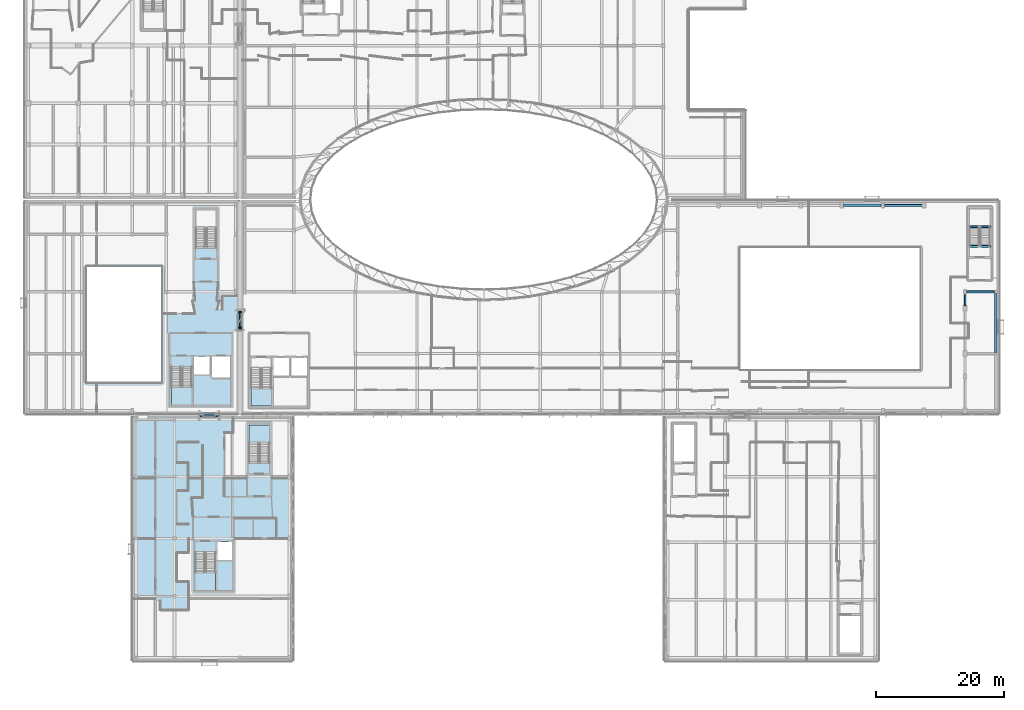
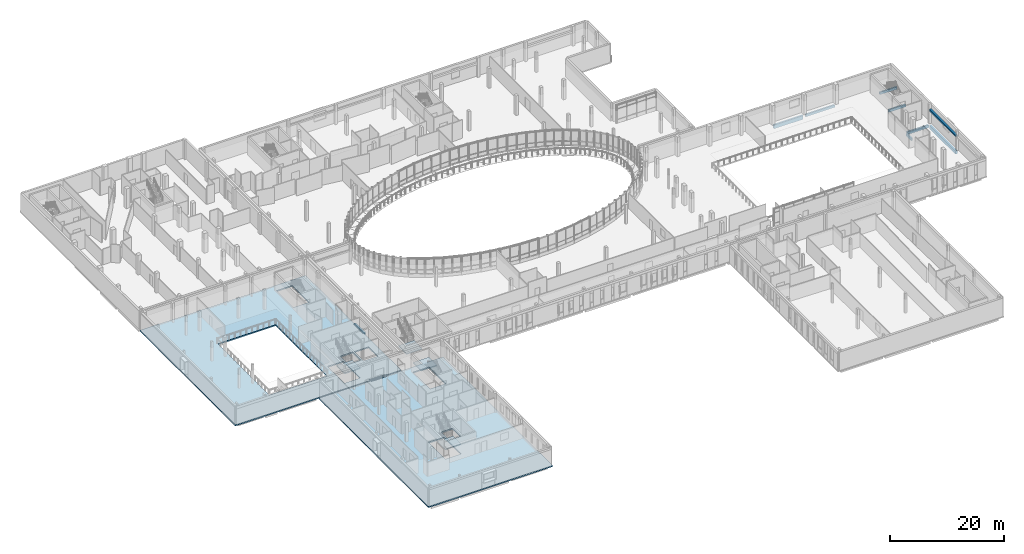
# One storey, part 30 of 84: 8 beams, 8 slabs, 4 plates, 4 elements without a shape of their own.
"""IFC4 building model written with IfcOpenShell, lengths in metres."""

from ifc_helpers import new_model, si_unit, direction, frame, origin, origin_2d, place, context, subcontext, project, spatial, polyline, rectangle, outline, extrude, material, layer, layer_set, material_profile, profile_set, type_object, element, aggregate, save


model = new_model("IFC4")

# Units and contexts
model_context = context("Model", 3, precision=1e-05, world=origin(), true_north=direction((0.0, 1.0)))
body_context = subcontext(model_context, "Body", "Model", "MODEL_VIEW")
ifc_project = project(units=[si_unit("LENGTHUNIT", "METRE"), si_unit("AREAUNIT", "SQUARE_METRE"), si_unit("VOLUMEUNIT", "CUBIC_METRE"), si_unit("PLANEANGLEUNIT", "RADIAN"), si_unit("MASSUNIT", "GRAM", prefix="KILO")], contexts=[model_context])

# Site, building, storey
site_placement = place(None, origin())
site = spatial("IfcSite", under=ifc_project, at=site_placement, CompositionType="ELEMENT")
building_placement = place(site_placement, origin())
building = spatial("IfcBuilding", under=site, at=building_placement, Name="Mzevani Central Library", CompositionType="ELEMENT")
storey_placement = place(building_placement, frame((0.0, 0.0, 5.39990234375)))
storey = spatial("IfcBuildingStorey", under=building, at=storey_placement, Name="L01", CompositionType="ELEMENT", Elevation=5.39990234375)

# Beams
ifc_material_1 = material(Name="Concrete C35/45", Category="concrete")
ifc_material_profile_1 = material_profile(ifc_material_1, rectangle(XDim=0.300048828125, YDim=0.5, at=origin_2d()), Name="RC B300x500")
ifc_profile_set_1 = profile_set([ifc_material_profile_1], Name="Concrete C35/45")
beam_type_1 = type_object("IfcBeamType", Name="Beam RC 300x500", PredefinedType="BEAM", material=ifc_profile_set_1)
beam_1_placement = place(storey_placement, frame((146.47509765625, 75.10009765625, -0.510009765625), z_axis=(1.0, 0.0, 0.0), x_axis=(0.0, 1.0, 0.0)))
element("IfcBeam", 1, at=beam_1_placement, inside=storey, type_object=beam_type_1, Name="L01 V1 Girder B-01 (40)", PredefinedType="BEAM", context=body_context, shape_type="SweptSolid", body=[
    extrude(rectangle(XDim=0.300048828125, YDim=0.5, at=origin_2d()), origin(), (0.0, 0.0, 1.0), 5.875),
])
for number, where, z_axis, x_axis, name in (
    (2, (159.580078125, 71.780029296875, 1.650146484375), (1.0, 0.0, 0.0), (0.0, 1.0, 0.0), "L01 Core C1B Reading Hall East Stair Landing Beam 1"),
    (3, (159.580078125, 68.699951171875, -0.25), (1.0, 0.0, 0.0), (0.0, 1.0, 0.0), "L01 Core C1B Reading Hall East Stair Opening Trimmer Beam"),
):
    element("IfcBeam", number, at=place(storey_placement, frame(where, z_axis=z_axis, x_axis=x_axis)), inside=storey, type_object=beam_type_1, Name=name, PredefinedType="BEAM", context=body_context, shape_type="SweptSolid", body=[
        extrude(rectangle(XDim=0.300048828125, YDim=0.5, at=origin_2d()), origin(), (0.0, 0.0, 1.0), 3.43994140625),
    ])
ifc_material_profile_2 = material_profile(ifc_material_1, rectangle(XDim=0.300048828125, YDim=0.550048828125, at=origin_2d()), Name="RC B300x550")
ifc_profile_set_2 = profile_set([ifc_material_profile_2], Name="Concrete C35/45")
beam_type_2 = type_object("IfcBeamType", Name="Beam RC 300x550", PredefinedType="BEAM", material=ifc_profile_set_2)
beam_2_placement = place(storey_placement, frame((159.0, 59.449951171875, -0.534912109375), z_axis=(0.0, 1.0, 0.0), x_axis=(-1.0, 0.0, 0.0)))
element("IfcBeam", 4, at=beam_2_placement, inside=storey, type_object=beam_type_2, Name="L01 V1 Frame Beam B-02 (69)", PredefinedType="BEAM", context=body_context, shape_type="SweptSolid", body=[
    extrude(rectangle(XDim=0.300048828125, YDim=0.550048828125, at=origin_2d()), origin(), (0.0, 0.0, 1.0), 1.75),
])
ifc_material_profile_3 = material_profile(ifc_material_1, rectangle(XDim=0.300048828125, YDim=0.60009765625, at=origin_2d()), Name="RC B300x600")
ifc_profile_set_3 = profile_set([ifc_material_profile_3], Name="Concrete C35/45")
beam_type_3 = type_object("IfcBeamType", Name="Beam RC 300x600", PredefinedType="BEAM", material=ifc_profile_set_3)
beam_3_placement = place(storey_placement, frame((159.25, 61.60009765625, -0.559814453125), z_axis=(1.0, 0.0, 0.0), x_axis=(0.0, 1.0, 0.0)))
element("IfcBeam", 5, at=beam_3_placement, inside=storey, type_object=beam_type_3, Name="L01 V1 Girder B-03 (30)", PredefinedType="BEAM", context=body_context, shape_type="SweptSolid", body=[
    extrude(rectangle(XDim=0.300048828125, YDim=0.60009765625, at=origin_2d()), origin(), (0.0, 0.0, 1.0), 4.300048828125),
])
ifc_material_profile_4 = material_profile(ifc_material_1, rectangle(XDim=0.39990234375, YDim=0.699951171875, at=origin_2d()), Name="RC B400x700")
ifc_profile_set_4 = profile_set([ifc_material_profile_4], Name="Concrete C35/45")
beam_type_4 = type_object("IfcBeamType", Name="Beam RC 400x700", PredefinedType="BEAM", material=ifc_profile_set_4)
beam_4_placement = place(storey_placement, frame((163.800048828125, 52.22509765625, -0.60986328125), z_axis=(0.0, 1.0, 0.0), x_axis=(-1.0, 0.0, 0.0)))
element("IfcBeam", 6, at=beam_4_placement, inside=storey, type_object=beam_type_4, Name="L01 V1 Frame Beam B-08 (71)", PredefinedType="BEAM", context=body_context, shape_type="SweptSolid", body=[
    extrude(rectangle(XDim=0.39990234375, YDim=0.699951171875, at=origin_2d()), origin(), (0.0, 0.0, 1.0), 9.125),
])
ifc_material_2 = material(Name="Precast concrete C40/50", Category="concrete")
ifc_material_profile_5 = material_profile(ifc_material_2, rectangle(XDim=0.35009765625, YDim=0.800048828125, at=origin_2d()), Name="RC SP350x800")
ifc_profile_set_5 = profile_set([ifc_material_profile_5], Name="Precast concrete C40/50")
beam_type_5 = type_object("IfcBeamType", Name="Colonnade Fascia Beam RC 350x800", PredefinedType="SPANDREL", material=ifc_profile_set_5)
beam_5_placement = place(storey_placement, frame((140.050048828125, 75.10009765625, -0.659912109375), z_axis=(1.0, 0.0, 0.0), x_axis=(0.0, 1.0, 0.0)))
element("IfcBeam", 7, at=beam_5_placement, inside=storey, type_object=beam_type_5, Name="L01 V1 Girder SP-02 (39)", PredefinedType="SPANDREL", context=body_context, shape_type="SweptSolid", body=[
    extrude(rectangle(XDim=0.35009765625, YDim=0.800048828125, at=origin_2d()), origin(), (0.0, 0.0, 1.0), 5.875),
])
ifc_material_profile_6 = material_profile(ifc_material_2, rectangle(XDim=0.35009765625, YDim=0.39990234375, at=origin_2d()), Name="PC LN350x400")
ifc_profile_set_6 = profile_set([ifc_material_profile_6], Name="Precast concrete C40/50")
beam_type_6 = type_object("IfcBeamType", Name="Precast Window Lintel 350x400", PredefinedType="LINTEL", material=ifc_profile_set_6)
beam_6_placement = place(storey_placement, frame((163.800048828125, 52.199951171875, 2.9501953125), z_axis=(0.0, 1.0, 0.0), x_axis=(-1.0, 0.0, 0.0)))
element("IfcBeam", 8, at=beam_6_placement, inside=storey, type_object=beam_type_6, Name="L01 V1 Precast Portal Lintel (17)", PredefinedType="LINTEL", context=body_context, shape_type="SweptSolid", body=[
    extrude(rectangle(XDim=0.35009765625, YDim=0.39990234375, at=origin_2d()), origin(), (0.0, 0.0, 1.0), 9.175048828125),
])

# Slabs
ifc_layer_1 = layer(ifc_material_1, 0.260009765625, Name="Public Reading Floor Slab 260")
ifc_layer_set_1 = layer_set([ifc_layer_1], Name="Concrete C35/45")
slab_type_1 = type_object("IfcSlabType", Name="Public Reading Floor Slab 260", PredefinedType="FLOOR", material=ifc_layer_set_1)
slab_1_placement = place(storey_placement, frame((0.0, 0.0, -0.260009765625)))
element("IfcSlab", 9, at=slab_1_placement, inside=storey, type_object=slab_type_1, Name="L01 V4 Structural Slab FS-02", PredefinedType="FLOOR", context=body_context, shape_type="SweptSolid", body=[
    extrude(outline(polyline([(54.300048828125, 4.0), (29.199951171875, 4.0), (29.199951171875, 42.300048828125), (54.300048828125, 42.300048828125), (54.300048828125, 4.0)]), holes=[polyline([(39.0, 21.0), (39.0, 15.10009765625), (42.199951171875, 15.10009765625), (42.199951171875, 21.0), (39.0, 21.0)]), polyline([(42.5, 19.800048828125), (44.800048828125, 19.800048828125), (44.800048828125, 22.60009765625), (42.5, 22.60009765625), (42.5, 19.800048828125)]), polyline([(50.60009765625, 35.0), (50.60009765625, 40.89990234375), (47.39990234375, 40.89990234375), (47.39990234375, 35.0), (50.60009765625, 35.0)])]), origin(), (0.0, 0.0, 1.0), 0.260009765625),
])
slab_2_placement = place(storey_placement, frame((0.0, 0.0, -0.260009765625)))
element("IfcSlab", 10, at=slab_2_placement, inside=storey, type_object=slab_type_1, Name="L01 V5 Structural Slab FS-02", PredefinedType="FLOOR", context=body_context, shape_type="SweptSolid", body=[
    extrude(outline(polyline([(12.39990234375, 42.5), (12.39990234375, 75.89990234375), (45.89990234375, 75.89990234375), (45.89990234375, 42.5), (12.39990234375, 42.5)]), holes=[polyline([(33.800048828125, 65.5), (22.10009765625, 65.5), (22.10009765625, 47.5), (33.800048828125, 47.5), (33.800048828125, 65.5)]), polyline([(35.300048828125, 49.89990234375), (35.300048828125, 44.0), (38.5, 44.0), (38.5, 49.89990234375), (35.300048828125, 49.89990234375)]), polyline([(38.800048828125, 48.699951171875), (41.300048828125, 48.699951171875), (41.300048828125, 51.5), (38.800048828125, 51.5), (38.800048828125, 48.699951171875)]), polyline([(41.60009765625, 48.199951171875), (44.5, 48.199951171875), (44.5, 51.5), (41.60009765625, 51.5), (41.60009765625, 48.199951171875)]), polyline([(42.300048828125, 68.5), (42.300048828125, 74.39990234375), (39.10009765625, 74.39990234375), (39.10009765625, 68.5), (42.300048828125, 68.5)])]), origin(), (0.0, 0.0, 1.0), 0.260009765625),
])
ifc_layer_2 = layer(ifc_material_1, 0.239990234375, Name="Seismic Link Bridge Deck 240")
ifc_layer_set_2 = layer_set([ifc_layer_2], Name="Concrete C35/45")
slab_type_2 = type_object("IfcSlabType", Name="Seismic Link Bridge Deck 240", PredefinedType="FLOOR", material=ifc_layer_set_2)
slab_3_placement = place(storey_placement, frame((0.0, 0.0, -0.239990234375)))
element("IfcSlab", 11, at=slab_3_placement, inside=storey, type_object=slab_type_2, Name="L01 West Reading Seismic Passage L01 Deck", PredefinedType="FLOOR", context=body_context, shape_type="SweptSolid", body=[
    extrude(outline(polyline([(45.89990234375, 55.39990234375), (46.10009765625, 55.39990234375), (46.10009765625, 59.0), (45.89990234375, 59.0), (45.89990234375, 55.39990234375)])), origin(), (0.0, 0.0, 1.0), 0.239990234375),
])
slab_4_placement = place(storey_placement, frame((0.0, 0.0, -0.239990234375)))
element("IfcSlab", 12, at=slab_4_placement, inside=storey, type_object=slab_type_2, Name="L01 Cultural-Auditorium Seismic Passage L01 Deck", PredefinedType="FLOOR", context=body_context, shape_type="SweptSolid", body=[
    extrude(outline(polyline([(39.39990234375, 42.300048828125), (43.0, 42.300048828125), (43.0, 42.5), (39.39990234375, 42.5), (39.39990234375, 42.300048828125)])), origin(), (0.0, 0.0, 1.0), 0.239990234375),
])

# Stair, slab
stair_type = type_object("IfcStairType", Name="Dogleg Exit Stair 175x280", PredefinedType="HALF_TURN_STAIR", material=ifc_material_1)
stair_1_placement = place(storey_placement, origin())
stair_1 = element("IfcStair", 13, at=stair_1_placement, inside=storey, type_object=stair_type, Name="L01 Core C1A Reading Hall West Exit Stair ST-02", PredefinedType="HALF_TURN_STAIR")
ifc_layer_3 = layer(ifc_material_1, 0.199951171875, Name="Stair Landing Slab 200")
ifc_layer_set_3 = layer_set([ifc_layer_3], Name="Concrete C35/45")
slab_type_3 = type_object("IfcSlabType", Name="Stair Landing Slab 200", PredefinedType="LANDING", material=ifc_layer_set_3)
slab_5_placement = place(storey_placement, frame((0.0, 0.0, 1.900146484375)))
slab_5 = element("IfcSlab", 14, at=slab_5_placement, type_object=slab_type_3, Name="ST-01 landing 1", PredefinedType="LANDING", context=body_context, shape_type="SweptSolid", body=[
    extrude(outline(polyline([(47.699951171875, 46.6201171875), (47.699951171875, 43.800048828125), (50.89990234375, 43.800048828125), (50.89990234375, 46.6201171875), (47.699951171875, 46.6201171875)])), origin(), (0.0, 0.0, 1.0), 0.199951171875),
])
aggregate(stair_1, [slab_5])

stair_2_placement = place(storey_placement, origin())
stair_2 = element("IfcStair", 15, at=stair_2_placement, inside=storey, type_object=stair_type, Name="L01 Core C4A Cultural Wing Core Exit Stair ST-02", PredefinedType="HALF_TURN_STAIR")
slab_6_placement = place(storey_placement, frame((0.0, 0.0, 1.900146484375)))
slab_6 = element("IfcSlab", 16, at=slab_6_placement, type_object=slab_type_3, Name="ST-07 landing 1", PredefinedType="LANDING", context=body_context, shape_type="SweptSolid", body=[
    extrude(outline(polyline([(39.0, 17.919921875), (39.0, 15.10009765625), (42.199951171875, 15.10009765625), (42.199951171875, 17.919921875), (39.0, 17.919921875)])), origin(), (0.0, 0.0, 1.0), 0.199951171875),
])
aggregate(stair_2, [slab_6])

stair_3_placement = place(storey_placement, origin())
stair_3 = element("IfcStair", 17, at=stair_3_placement, inside=storey, type_object=stair_type, Name="L01 Core C4B Square South Escape Stair Exit Stair ST-02", PredefinedType="HALF_TURN_STAIR")
slab_7_placement = place(storey_placement, frame((0.0, 0.0, 1.900146484375)))
slab_7 = element("IfcSlab", 18, at=slab_7_placement, type_object=slab_type_3, Name="ST-08 landing 1", PredefinedType="LANDING", context=body_context, shape_type="SweptSolid", body=[
    extrude(outline(polyline([(50.60009765625, 38.080078125), (50.60009765625, 40.89990234375), (47.39990234375, 40.89990234375), (47.39990234375, 38.080078125), (50.60009765625, 38.080078125)])), origin(), (0.0, 0.0, 1.0), 0.199951171875),
])
aggregate(stair_3, [slab_7])

stair_4_placement = place(storey_placement, origin())
stair_4 = element("IfcStair", 19, at=stair_4_placement, inside=storey, type_object=stair_type, Name="L01 Core C5A Auditorium & Goods Core Exit Stair ST-02", PredefinedType="HALF_TURN_STAIR")
slab_8_placement = place(storey_placement, frame((0.0, 0.0, 1.900146484375)))
slab_8 = element("IfcSlab", 20, at=slab_8_placement, type_object=slab_type_3, Name="ST-09 landing 1", PredefinedType="LANDING", context=body_context, shape_type="SweptSolid", body=[
    extrude(outline(polyline([(35.300048828125, 46.820068359375), (35.300048828125, 44.0), (38.5, 44.0), (38.5, 46.820068359375), (35.300048828125, 46.820068359375)])), origin(), (0.0, 0.0, 1.0), 0.199951171875),
])
aggregate(stair_4, [slab_8])

# Plates
ifc_material_3 = material(Name="Steel S355J2", Category="steel")
ifc_layer_4 = layer(ifc_material_3, 0.035888671875, Name="Truss Splice Flange Plate 36")
ifc_layer_set_4 = layer_set([ifc_layer_4], Name="Steel S355J2")
plate_type = type_object("IfcPlateType", Name="Truss Splice Flange Plate 36", PredefinedType="USERDEFINED", material=ifc_layer_set_4)
for number, where, z_axis, x_axis, name in (
    (21, (45.89990234375, 57.199951171875, -0.03564453125), (0.0, 0.0, 1.0), (1.0, 0.0, 0.0), "L01 West Reading Seismic Passage L01 Walkable Seismic Threshold Cover Plate 1"),
    (22, (46.10009765625, 57.199951171875, -0.03564453125), (0.0, 0.0, 1.0), (1.0, 0.0, 0.0), "L01 West Reading Seismic Passage L01 Walkable Seismic Threshold Cover Plate 2"),
):
    element("IfcPlate", number, at=place(storey_placement, frame(where, z_axis=z_axis, x_axis=x_axis)), inside=storey, type_object=plate_type, Name=name, ObjectType="SPLICE PLATE", PredefinedType="USERDEFINED", context=body_context, shape_type="SweptSolid", body=[
        extrude(rectangle(XDim=0.419921875, YDim=3.199951171875, at=origin_2d()), origin(), (0.0, 0.0, 1.0), 0.035888671875),
    ])
for number, where, z_axis, x_axis, name in (
    (23, (41.199951171875, 42.300048828125, -0.03564453125), (0.0, 0.0, 1.0), (1.0, 0.0, 0.0), "L01 Cultural-Auditorium Seismic Passage L01 Walkable Seismic Threshold Cover Plate 1"),
    (24, (41.199951171875, 42.5, -0.03564453125), (0.0, 0.0, 1.0), (1.0, 0.0, 0.0), "L01 Cultural-Auditorium Seismic Passage L01 Walkable Seismic Threshold Cover Plate 2"),
):
    element("IfcPlate", number, at=place(storey_placement, frame(where, z_axis=z_axis, x_axis=x_axis)), inside=storey, type_object=plate_type, Name=name, ObjectType="SPLICE PLATE", PredefinedType="USERDEFINED", context=body_context, shape_type="SweptSolid", body=[
        extrude(rectangle(XDim=3.199951171875, YDim=0.419921875, at=origin_2d()), origin(), (0.0, 0.0, 1.0), 0.035888671875),
    ])

save(model, "model.ifc")
